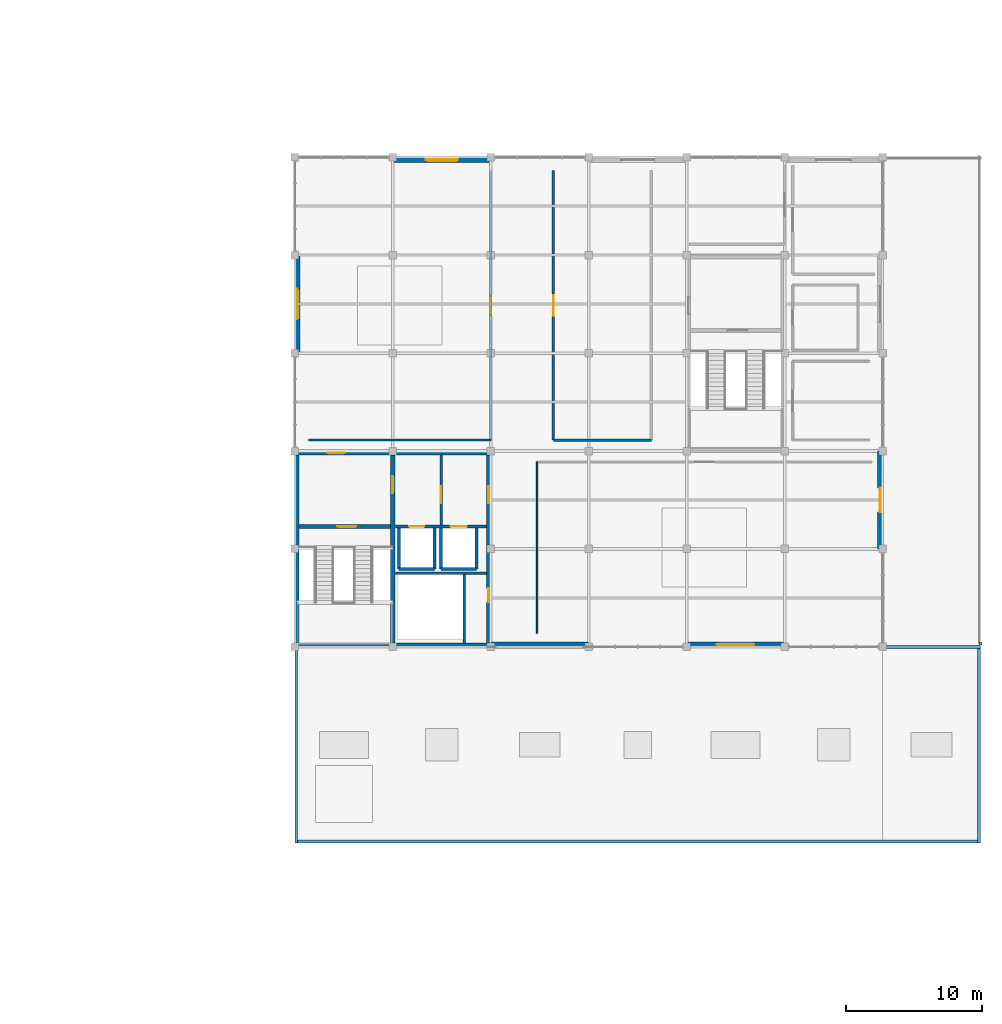
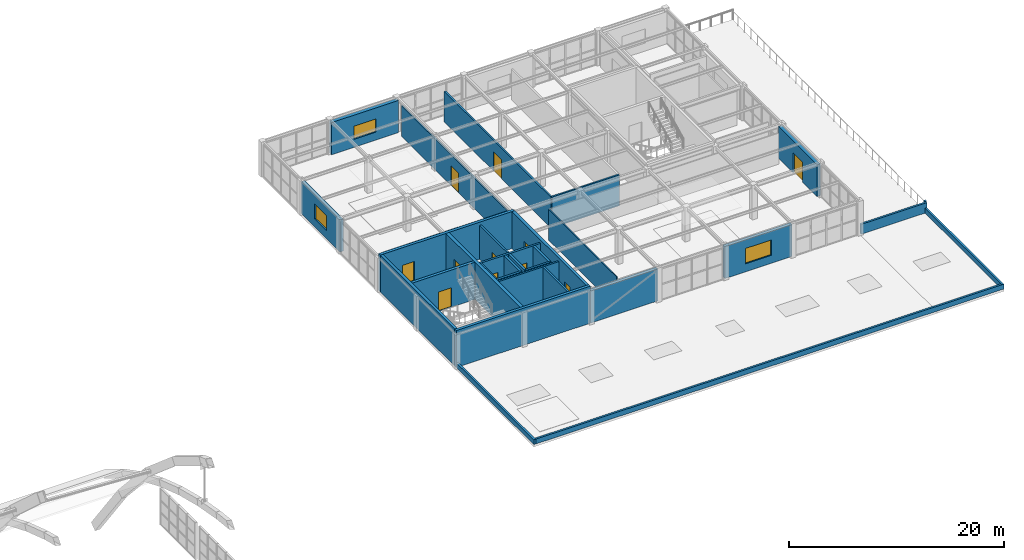
# One storey, part 59 of 64: 31 walls, 11 doors, 3 windows, 14 openings.
"""IFC4 building model written with IfcOpenShell, lengths in metres."""

from ifc_helpers import new_model, si_unit, direction, frame, frame_2d, origin, place, context, subcontext, project, spatial, rectangle, extrude, material, layer, layer_set, type_object, element, fill, save


model = new_model("IFC4")

# Units and contexts
model_context = context("Model", 3, precision=1e-05, world=origin(), true_north=direction((0.0, 1.0)))
body_context = subcontext(model_context, "Body", "Model", "MODEL_VIEW")
ifc_project = project(units=[si_unit("LENGTHUNIT", "METRE"), si_unit("AREAUNIT", "SQUARE_METRE"), si_unit("VOLUMEUNIT", "CUBIC_METRE"), si_unit("PLANEANGLEUNIT", "RADIAN"), si_unit("MASSUNIT", "GRAM", prefix="KILO")], contexts=[model_context])

# Site, building, storey
site_placement = place(None, origin())
site = spatial("IfcSite", under=ifc_project, at=site_placement, CompositionType="ELEMENT")
building_placement = place(site_placement, origin())
building = spatial("IfcBuilding", under=site, at=building_placement, Name="Leyfeld Transit Interchange", CompositionType="ELEMENT")
storey_placement = place(building_placement, frame((0.0, 0.0, 9.60009765625)))
storey = spatial("IfcBuildingStorey", under=building, at=storey_placement, Name="L02", CompositionType="ELEMENT", Elevation=9.60009765625)

# Wall, opening, window
ifc_material_1 = material(Name="Clinker brick masonry - Insulated", Category="masonry")
ifc_layer_1 = layer(ifc_material_1, 0.3798828125, Name="Clinker brick masonry - Insulated")
ifc_layer_set_1 = layer_set([ifc_layer_1], Name="Clinker brick masonry - Insulated")
wall_type_1 = type_object("IfcWallType", Name="WL-EXT-BRK-380", PredefinedType="SOLIDWALL", material=ifc_layer_set_1)
wall_1_placement = place(storey_placement, frame((144.0, 93.409912109375, 0.0), z_axis=(0.0, 0.0, 1.0), x_axis=(1.0, 0.0, 0.0)))
wall_1 = element("IfcWall", 1, at=wall_1_placement, inside=storey, type_object=wall_type_1, Name="External Facade Wall EW-L02-094", PredefinedType="SOLIDWALL", context=body_context, shape_type="SweptSolid", body=[
    extrude(rectangle(XDim=7.199951171875, YDim=0.3798828125, at=frame_2d((3.60009765625, 0.0))), origin(), (0.0, 0.0, 1.0), 3.64990234375),
])
opening_1_placement = place(wall_1_placement, frame((2.425048828125, 0.0, 0.89990234375)))
opening_1 = element("IfcOpeningElement", 2, at=opening_1_placement, cuts=wall_1, Name="Opening WU-12", PredefinedType="OPENING", context=body_context, shape_type="SweptSolid", body=[
    extrude(rectangle(XDim=2.35009765625, YDim=1.5, at=frame_2d((1.175048828125, 0.75))), frame((0.0, 0.199951171875, 0.0), z_axis=(0.0, -1.0, 0.0), x_axis=(1.0, 0.0, 0.0)), (0.0, 0.0, 1.0), 0.39990234375),
])
ifc_material_2 = material(Name="Triple low-E insulated glazing", Category="glass")
window_type_1 = type_object("IfcWindowType", Name="WIN-UNQ-12", PartitioningType="SINGLE_PANEL", PredefinedType="WINDOW", material=ifc_material_2)
window_1_placement = place(opening_1_placement, origin())
window_1 = element("IfcWindow", 3, at=window_1_placement, inside=storey, type_object=window_type_1, Name="Facade Window L02 064", OverallHeight=1.5, OverallWidth=2.35009765625, PartitioningType="SINGLE_PANEL", PredefinedType="WINDOW", context=body_context, shape_type="SweptSolid", body=[
    extrude(rectangle(XDim=2.35009765625, YDim=1.5, at=frame_2d((1.175048828125, 0.75))), frame((0.0, 0.030029296875, 0.0), z_axis=(0.0, -1.0, 0.0), x_axis=(1.0, 0.0, 0.0)), (0.0, 0.0, 1.0), 0.06005859375),
])
fill(opening_1, window_1)

ifc_material_3 = material(Name="Leitha limestone ashlar - Insulated", Category="masonry")
ifc_layer_2 = layer(ifc_material_3, 0.360107421875, Name="Leitha limestone ashlar - Insulated")
ifc_layer_set_2 = layer_set([ifc_layer_2], Name="Leitha limestone ashlar - Insulated")
wall_type_2 = type_object("IfcWallType", Name="WL-EXT-STN-360", PredefinedType="SOLIDWALL", material=ifc_layer_set_2)
wall_2_placement = place(storey_placement, frame((136.97998046875, 79.199951171875, 0.0), z_axis=(0.0, 0.0, 1.0), x_axis=(0.0, 1.0, 0.0)))
wall_2 = element("IfcWall", 4, at=wall_2_placement, inside=storey, type_object=wall_type_2, Name="External Facade Wall EW-L02-093", PredefinedType="SOLIDWALL", context=body_context, shape_type="SweptSolid", body=[
    extrude(rectangle(XDim=7.199951171875, YDim=0.360107421875, at=frame_2d((3.60009765625, 0.0))), origin(), (0.0, 0.0, 1.0), 3.619873046875),
])
opening_2_placement = place(wall_2_placement, frame((2.47509765625, 0.0, 0.89990234375)))
opening_2 = element("IfcOpeningElement", 5, at=opening_2_placement, cuts=wall_2, Name="Opening WU-11", PredefinedType="OPENING", context=body_context, shape_type="SweptSolid", body=[
    extrude(rectangle(XDim=2.25, YDim=1.699951171875, at=frame_2d((1.125, 0.85009765625))), frame((0.0, 0.18994140625, 0.0), z_axis=(0.0, -1.0, 0.0), x_axis=(1.0, 0.0, 0.0)), (0.0, 0.0, 1.0), 0.380126953125),
])
window_type_2 = type_object("IfcWindowType", Name="WIN-UNQ-11", PartitioningType="SINGLE_PANEL", PredefinedType="WINDOW", material=ifc_material_2)
window_2_placement = place(opening_2_placement, origin())
window_2 = element("IfcWindow", 6, at=window_2_placement, inside=storey, type_object=window_type_2, Name="Facade Window L02 063", OverallHeight=1.699951171875, OverallWidth=2.25, PartitioningType="SINGLE_PANEL", PredefinedType="WINDOW", context=body_context, shape_type="SweptSolid", body=[
    extrude(rectangle(XDim=2.25, YDim=1.699951171875, at=frame_2d((1.125, 0.85009765625))), frame((0.0, 0.030029296875, 0.0), z_axis=(0.0, -1.0, 0.0), x_axis=(1.0, 0.0, 0.0)), (0.0, 0.0, 1.0), 0.06005859375),
])
fill(opening_2, window_2)

# Wall, opening, door
wall_3_placement = place(storey_placement, frame((179.820068359375, 72.0, 0.0), z_axis=(0.0, 0.0, 1.0), x_axis=(0.0, -1.0, 0.0)))
wall_3 = element("IfcWall", 7, at=wall_3_placement, inside=storey, type_object=wall_type_2, Name="External Facade Wall EW-L02-098", PredefinedType="SOLIDWALL", context=body_context, shape_type="SweptSolid", body=[
    extrude(rectangle(XDim=7.199951171875, YDim=0.360107421875, at=frame_2d((3.60009765625, 0.0))), origin(), (0.0, 0.0, 1.0), 3.619873046875),
])
opening_3_placement = place(wall_3_placement, frame((2.699951171875, 0.0, 0.0)))
opening_3 = element("IfcOpeningElement", 8, at=opening_3_placement, cuts=wall_3, Name="Opening DE-06", PredefinedType="OPENING", context=body_context, shape_type="SweptSolid", body=[
    extrude(rectangle(XDim=1.800048828125, YDim=2.25, at=frame_2d((0.89990234375, 1.125))), frame((0.0, 0.18994140625, 0.0), z_axis=(0.0, -1.0, 0.0), x_axis=(1.0, 0.0, 0.0)), (0.0, 0.0, 1.0), 0.380126953125),
])
ifc_material_4 = material(Name="Anodised aluminium EN AW-6060 T66", Category="aluminium")
door_type_1 = type_object("IfcDoorType", Name="DR-EXT-TER-1800x2250", OperationType="NOTDEFINED", PredefinedType="DOOR", material=ifc_material_4)
door_1_placement = place(opening_3_placement, origin())
door_1 = element("IfcDoor", 9, at=door_1_placement, inside=storey, type_object=door_type_1, Name="DR-TER-L02-018", OperationType="SINGLE_SWING_LEFT", OverallHeight=2.25, OverallWidth=1.800048828125, PredefinedType="DOOR", context=body_context, shape_type="SweptSolid", body=[
    extrude(rectangle(XDim=1.800048828125, YDim=2.25, at=frame_2d((0.89990234375, 1.125))), frame((0.0, 0.02490234375, 0.0), z_axis=(0.0, -1.0, 0.0), x_axis=(1.0, 0.0, 0.0)), (0.0, 0.0, 1.0), 0.050048828125),
])
fill(opening_3, door_1)

# Wall, opening, window
wall_4_placement = place(storey_placement, frame((172.800048828125, 57.780029296875, 0.0), z_axis=(0.0, 0.0, 1.0), x_axis=(-1.0, 0.0, 0.0)))
wall_4 = element("IfcWall", 10, at=wall_4_placement, inside=storey, type_object=wall_type_2, Name="External Facade Wall EW-L02-099", PredefinedType="SOLIDWALL", context=body_context, shape_type="SweptSolid", body=[
    extrude(rectangle(XDim=7.199951171875, YDim=0.360107421875, at=frame_2d((3.60009765625, 0.0))), origin(), (0.0, 0.0, 1.0), 3.619873046875),
])
opening_4_placement = place(wall_4_placement, frame((2.22509765625, 0.0, 0.89990234375)))
opening_4 = element("IfcOpeningElement", 11, at=opening_4_placement, cuts=wall_4, Name="Opening WU-16", PredefinedType="OPENING", context=body_context, shape_type="SweptSolid", body=[
    extrude(rectangle(XDim=2.75, YDim=1.75, at=frame_2d((1.375, 0.875))), frame((0.0, 0.18994140625, 0.0), z_axis=(0.0, -1.0, 0.0), x_axis=(1.0, 0.0, 0.0)), (0.0, 0.0, 1.0), 0.380126953125),
])
window_type_3 = type_object("IfcWindowType", Name="WIN-UNQ-16", PartitioningType="SINGLE_PANEL", PredefinedType="WINDOW", material=ifc_material_2)
window_3_placement = place(opening_4_placement, origin())
window_3 = element("IfcWindow", 12, at=window_3_placement, inside=storey, type_object=window_type_3, Name="Facade Window L02 068", OverallHeight=1.75, OverallWidth=2.75, PartitioningType="SINGLE_PANEL", PredefinedType="WINDOW", context=body_context, shape_type="SweptSolid", body=[
    extrude(rectangle(XDim=2.75, YDim=1.75, at=frame_2d((1.375, 0.875))), frame((0.0, 0.030029296875, 0.0), z_axis=(0.0, -1.0, 0.0), x_axis=(1.0, 0.0, 0.0)), (0.0, 0.0, 1.0), 0.06005859375),
])
fill(opening_4, window_3)

# Walls
wall_5_placement = place(storey_placement, frame((158.39990234375, 57.780029296875, 0.0), z_axis=(0.0, 0.0, 1.0), x_axis=(-1.0, 0.0, 0.0)))
element("IfcWall", 13, at=wall_5_placement, inside=storey, type_object=wall_type_2, Name="External Facade Wall EW-L02-100", PredefinedType="SOLIDWALL", context=body_context, shape_type="SweptSolid", body=[
    extrude(rectangle(XDim=7.199951171875, YDim=0.360107421875, at=frame_2d((3.60009765625, 0.0))), origin(), (0.0, 0.0, 1.0), 3.619873046875),
])
ifc_material_5 = material(Name="Gypsum plasterboard acoustic stud", Category="gypsum")
ifc_layer_3 = layer(ifc_material_5, 0.159912109375, Name="Gypsum plasterboard acoustic stud")
ifc_layer_set_3 = layer_set([ifc_layer_3], Name="Gypsum plasterboard acoustic stud")
wall_type_3 = type_object("IfcWallType", Name="WL-INT-ACU-160", PredefinedType="PARTITIONING", material=ifc_layer_set_3)
wall_6_placement = place(storey_placement, frame((151.199951171875, 72.800048828125, 0.0), z_axis=(0.0, 0.0, 1.0), x_axis=(-1.0, 0.0, 0.0)))
element("IfcWall", 14, at=wall_6_placement, inside=storey, type_object=wall_type_3, Name="Interior Partition L02-MTG-01 S", PredefinedType="PARTITIONING", context=body_context, shape_type="SweptSolid", body=[
    extrude(rectangle(XDim=13.39990234375, YDim=0.159912109375, at=frame_2d((6.699951171875, 0.0))), origin(), (0.0, 0.0, 1.0), 3.52001953125),
])

# Wall, opening, door
wall_7_placement = place(storey_placement, frame((151.199951171875, 92.60009765625, 0.0), z_axis=(0.0, 0.0, 1.0), x_axis=(0.0, -1.0, 0.0)))
wall_7 = element("IfcWall", 15, at=wall_7_placement, inside=storey, type_object=wall_type_3, Name="Interior Partition L02-MTG-01 E", PredefinedType="PARTITIONING", context=body_context, shape_type="SweptSolid", body=[
    extrude(rectangle(XDim=19.800048828125, YDim=0.159912109375, at=frame_2d((9.89990234375, 0.0))), origin(), (0.0, 0.0, 1.0), 3.469970703125),
])
opening_5_placement = place(wall_7_placement, frame((9.18994140625, 0.0, 0.0)))
opening_5 = element("IfcOpeningElement", 16, at=opening_5_placement, cuts=wall_7, Name="Opening DU-12", PredefinedType="OPENING", context=body_context, shape_type="SweptSolid", body=[
    extrude(rectangle(XDim=1.419921875, YDim=2.239990234375, at=frame_2d((0.7099609375, 1.1201171875))), frame((0.0, 0.08984375, 0.0), z_axis=(0.0, -1.0, 0.0), x_axis=(1.0, 0.0, 0.0)), (0.0, 0.0, 1.0), 0.179931640625),
])
ifc_material_6 = material(Name="Austrian larch glulam GL28h", Category="wood")
door_type_2 = type_object("IfcDoorType", Name="DR-UNQ-12", OperationType="NOTDEFINED", PredefinedType="DOOR", material=ifc_material_6)
door_2_placement = place(opening_5_placement, origin())
door_2 = element("IfcDoor", 17, at=door_2_placement, inside=storey, type_object=door_type_2, Name="DR-L02-MTG-01", OperationType="SINGLE_SWING_RIGHT", OverallHeight=2.239990234375, OverallWidth=1.419921875, PredefinedType="DOOR", context=body_context, shape_type="SweptSolid", body=[
    extrude(rectangle(XDim=1.419921875, YDim=2.239990234375, at=frame_2d((0.7099609375, 1.1201171875))), frame((0.0, 0.02490234375, 0.0), z_axis=(0.0, -1.0, 0.0), x_axis=(1.0, 0.0, 0.0)), (0.0, 0.0, 1.0), 0.050048828125),
])
fill(opening_5, door_2)

# Wall
ifc_material_7 = material(Name="Calcium silicate masonry", Category="masonry")
ifc_layer_4 = layer(ifc_material_7, 0.175048828125, Name="Calcium silicate masonry")
ifc_layer_set_4 = layer_set([ifc_layer_4], Name="Calcium silicate masonry")
wall_type_4 = type_object("IfcWallType", Name="WL-INT-COR-175", PredefinedType="PARTITIONING", material=ifc_layer_set_4)
wall_8_placement = place(storey_placement, frame((163.0, 72.800048828125, 0.0), z_axis=(0.0, 0.0, 1.0), x_axis=(-1.0, 0.0, 0.0)))
element("IfcWall", 18, at=wall_8_placement, inside=storey, type_object=wall_type_4, Name="Interior Partition L02-ARC-01 S", PredefinedType="PARTITIONING", context=body_context, shape_type="SweptSolid", body=[
    extrude(rectangle(XDim=7.199951171875, YDim=0.175048828125, at=frame_2d((3.60009765625, 0.0))), origin(), (0.0, 0.0, 1.0), 3.52001953125),
])

# Wall, opening, door
wall_9_placement = place(storey_placement, frame((155.800048828125, 72.800048828125, 0.0), z_axis=(0.0, 0.0, 1.0), x_axis=(0.0, 1.0, 0.0)))
wall_9 = element("IfcWall", 19, at=wall_9_placement, inside=storey, type_object=wall_type_4, Name="Interior Partition L02-ARC-01 W", PredefinedType="PARTITIONING", context=body_context, shape_type="SweptSolid", body=[
    extrude(rectangle(XDim=19.800048828125, YDim=0.175048828125, at=frame_2d((9.89990234375, 0.0))), origin(), (0.0, 0.0, 1.0), 3.469970703125),
])
opening_6_placement = place(wall_9_placement, frame((9.159912109375, 0.0, 0.0)))
opening_6 = element("IfcOpeningElement", 20, at=opening_6_placement, cuts=wall_9, Name="Opening DU-13", PredefinedType="OPENING", context=body_context, shape_type="SweptSolid", body=[
    extrude(rectangle(XDim=1.47998046875, YDim=2.179931640625, at=frame_2d((0.739990234375, 1.08984375))), frame((0.0, 0.097412109375, 0.0), z_axis=(0.0, -1.0, 0.0), x_axis=(1.0, 0.0, 0.0)), (0.0, 0.0, 1.0), 0.195068359375),
])
door_type_3 = type_object("IfcDoorType", Name="DR-UNQ-13", OperationType="NOTDEFINED", PredefinedType="DOOR", material=ifc_material_6)
door_3_placement = place(opening_6_placement, origin())
door_3 = element("IfcDoor", 21, at=door_3_placement, inside=storey, type_object=door_type_3, Name="DR-L02-ARC-01", OperationType="SINGLE_SWING_LEFT", OverallHeight=2.179931640625, OverallWidth=1.47998046875, PredefinedType="DOOR", context=body_context, shape_type="SweptSolid", body=[
    extrude(rectangle(XDim=1.47998046875, YDim=2.179931640625, at=frame_2d((0.739990234375, 1.08984375))), frame((0.0, 0.02490234375, 0.0), z_axis=(0.0, -1.0, 0.0), x_axis=(1.0, 0.0, 0.0)), (0.0, 0.0, 1.0), 0.050048828125),
])
fill(opening_6, door_3)

ifc_material_8 = material(Name="Concrete C35/45", Category="concrete")
ifc_layer_5 = layer(ifc_material_8, 0.199951171875, Name="Concrete C35/45")
ifc_layer_set_5 = layer_set([ifc_layer_5], Name="Concrete C35/45")
wall_type_5 = type_object("IfcWallType", Name="WL-INT-FFL-200", PredefinedType="PARTITIONING", material=ifc_layer_set_5)
wall_10_placement = place(storey_placement, frame((147.550048828125, 66.56005859375, 0.0), z_axis=(0.0, 0.0, 1.0), x_axis=(0.0, 1.0, 0.0)))
wall_10 = element("IfcWall", 22, at=wall_10_placement, inside=storey, type_object=wall_type_5, Name="Core K4 Firefighting Lobby Compartment Wall L02", PredefinedType="PARTITIONING", context=body_context, shape_type="SweptSolid", body=[
    extrude(rectangle(XDim=5.139892578125, YDim=0.199951171875, at=frame_2d((2.56982421875, 0.0))), origin(), (0.0, 0.0, 1.0), 3.849853515625),
])
opening_7_placement = place(wall_10_placement, frame((1.60009765625, 0.0, 0.0)))
opening_7 = element("IfcOpeningElement", 23, at=opening_7_placement, cuts=wall_10, Name="Opening DI-02", PredefinedType="OPENING", context=body_context, shape_type="SweptSolid", body=[
    extrude(rectangle(XDim=1.25, YDim=2.199951171875, at=frame_2d((0.625, 1.10009765625))), frame((0.0, 0.10986328125, 0.0), z_axis=(0.0, -1.0, 0.0), x_axis=(1.0, 0.0, 0.0)), (0.0, 0.0, 1.0), 0.219970703125),
])
ifc_material_9 = material(Name="Galvanised steel S275JR", Category="steel")
door_type_4 = type_object("IfcDoorType", Name="DR-FFL-1250x2200", OperationType="NOTDEFINED", PredefinedType="DOOR", material=ifc_material_9)
door_4_placement = place(opening_7_placement, origin())
door_4 = element("IfcDoor", 24, at=door_4_placement, inside=storey, type_object=door_type_4, Name="DR-FFL-CON-K4-L02", OperationType="SINGLE_SWING_LEFT", OverallHeight=2.199951171875, OverallWidth=1.25, PredefinedType="DOOR", context=body_context, shape_type="SweptSolid", body=[
    extrude(rectangle(XDim=1.25, YDim=2.199951171875, at=frame_2d((0.625, 1.10009765625))), frame((0.0, 0.02490234375, 0.0), z_axis=(0.0, -1.0, 0.0), x_axis=(1.0, 0.0, 0.0)), (0.0, 0.0, 1.0), 0.050048828125),
])
fill(opening_7, door_4)

# Walls
ifc_layer_6 = layer(ifc_material_5, 0.114990234375, Name="Gypsum plasterboard acoustic stud")
ifc_layer_set_6 = layer_set([ifc_layer_6], Name="Gypsum plasterboard acoustic stud")
wall_type_6 = type_object("IfcWallType", Name="WL-INT-OFF-115", PredefinedType="PARTITIONING", material=ifc_layer_set_6)
wall_11_placement = place(storey_placement, frame((154.60009765625, 58.60009765625, 0.0), z_axis=(0.0, 0.0, 1.0), x_axis=(0.0, 1.0, 0.0)))
element("IfcWall", 25, at=wall_11_placement, inside=storey, type_object=wall_type_6, Name="Interior Partition L02-ADM-01 W", PredefinedType="PARTITIONING", context=body_context, shape_type="SweptSolid", body=[
    extrude(rectangle(XDim=12.599853515625, YDim=0.114990234375, at=frame_2d((6.2998046875, 0.0))), origin(), (0.0, 0.0, 1.0), 3.469970703125),
])
ifc_layer_7 = layer(ifc_material_7, 0.18994140625, Name="Calcium silicate masonry")
ifc_layer_set_7 = layer_set([ifc_layer_7], Name="Calcium silicate masonry")
wall_type_7 = type_object("IfcWallType", Name="WL-INT-PLT-190", PredefinedType="PARTITIONING", material=ifc_layer_set_7)
wall_12_placement = place(storey_placement, frame((144.179931640625, 63.02001953125, 0.0), z_axis=(0.0, 0.0, 1.0), x_axis=(1.0, 0.0, 0.0)))
element("IfcWall", 26, at=wall_12_placement, inside=storey, type_object=wall_type_7, Name="Core K4 Riser Compartment Wall L02", PredefinedType="PARTITIONING", context=body_context, shape_type="SweptSolid", body=[
    extrude(rectangle(XDim=6.719970703125, YDim=0.18994140625, at=frame_2d((3.35986328125, 0.0))), origin(), (0.0, 0.0, 1.0), 3.849853515625),
])
wall_13_placement = place(storey_placement, frame((149.25, 57.89990234375, 0.0), z_axis=(0.0, 0.0, 1.0), x_axis=(0.0, 1.0, 0.0)))
element("IfcWall", 27, at=wall_13_placement, inside=storey, type_object=wall_type_7, Name="Core K4 Riser Shaft East Wall L02", PredefinedType="PARTITIONING", context=body_context, shape_type="SweptSolid", body=[
    extrude(rectangle(XDim=5.030029296875, YDim=0.18994140625, at=frame_2d((2.51513671875, 0.0))), origin(), (0.0, 0.0, 1.0), 3.849853515625),
])

# Wall, openings, doors
ifc_layer_8 = layer(ifc_material_8, 0.219970703125, Name="Concrete C35/45")
ifc_layer_set_8 = layer_set([ifc_layer_8], Name="Concrete C35/45")
wall_type_8 = type_object("IfcWallType", Name="WL-INT-SHF-220", PredefinedType="PARTITIONING", material=ifc_layer_set_8)
wall_14_placement = place(storey_placement, frame((144.179931640625, 66.449951171875, 0.0), z_axis=(0.0, 0.0, 1.0), x_axis=(1.0, 0.0, 0.0)))
wall_14 = element("IfcWall", 28, at=wall_14_placement, inside=storey, type_object=wall_type_8, Name="Core K4 Lift Shaft Front Wall L02", PredefinedType="PARTITIONING", context=body_context, shape_type="SweptSolid", body=[
    extrude(rectangle(XDim=6.719970703125, YDim=0.219970703125, at=frame_2d((3.35986328125, 0.0))), origin(), (0.0, 0.0, 1.0), 3.849853515625),
])
opening_8_placement = place(wall_14_placement, frame((1.02001953125, 0.0, 0.0)))
opening_8 = element("IfcOpeningElement", 29, at=opening_8_placement, cuts=wall_14, Name="Opening LD-01", PredefinedType="OPENING", context=body_context, shape_type="SweptSolid", body=[
    extrude(rectangle(XDim=1.10009765625, YDim=2.14990234375, at=frame_2d((0.550048828125, 1.074951171875))), frame((0.0, 0.119873046875, 0.0), z_axis=(0.0, -1.0, 0.0), x_axis=(1.0, 0.0, 0.0)), (0.0, 0.0, 1.0), 0.239990234375),
])
opening_9_placement = place(wall_14_placement, frame((4.070068359375, 0.0, 0.0)))
opening_9 = element("IfcOpeningElement", 30, at=opening_9_placement, cuts=wall_14, Name="Opening LD-02", PredefinedType="OPENING", context=body_context, shape_type="SweptSolid", body=[
    extrude(rectangle(XDim=1.199951171875, YDim=2.14990234375, at=frame_2d((0.60009765625, 1.074951171875))), frame((0.0, 0.119873046875, 0.0), z_axis=(0.0, -1.0, 0.0), x_axis=(1.0, 0.0, 0.0)), (0.0, 0.0, 1.0), 0.239990234375),
])
ifc_material_10 = material(Name="Stainless steel EN 1.4404", Category="steel")
door_type_5 = type_object("IfcDoorType", Name="DR-LD-FFL-1100x2150", OperationType="NOTDEFINED", PredefinedType="DOOR", material=ifc_material_10)
door_5_placement = place(opening_8_placement, origin())
door_5 = element("IfcDoor", 31, at=door_5_placement, inside=storey, type_object=door_type_5, Name="LD-FFL-2-L02", OperationType="DOUBLE_DOOR_SLIDING", OverallHeight=2.14990234375, OverallWidth=1.10009765625, PredefinedType="DOOR", context=body_context, shape_type="SweptSolid", body=[
    extrude(rectangle(XDim=1.10009765625, YDim=2.14990234375, at=frame_2d((0.550048828125, 1.074951171875))), frame((0.0, 0.02490234375, 0.0), z_axis=(0.0, -1.0, 0.0), x_axis=(1.0, 0.0, 0.0)), (0.0, 0.0, 1.0), 0.050048828125),
])
fill(opening_8, door_5)
door_type_6 = type_object("IfcDoorType", Name="DR-LD-PAS-1200x2150", OperationType="NOTDEFINED", PredefinedType="DOOR", material=ifc_material_10)
door_6_placement = place(opening_9_placement, origin())
door_6 = element("IfcDoor", 32, at=door_6_placement, inside=storey, type_object=door_type_6, Name="LD-PL-4-L02", OperationType="DOUBLE_DOOR_SLIDING", OverallHeight=2.14990234375, OverallWidth=1.199951171875, PredefinedType="DOOR", context=body_context, shape_type="SweptSolid", body=[
    extrude(rectangle(XDim=1.199951171875, YDim=2.14990234375, at=frame_2d((0.60009765625, 1.074951171875))), frame((0.0, 0.02490234375, 0.0), z_axis=(0.0, -1.0, 0.0), x_axis=(1.0, 0.0, 0.0)), (0.0, 0.0, 1.0), 0.050048828125),
])
fill(opening_9, door_6)

# Walls
wall_15_placement = place(storey_placement, frame((144.43994140625, 63.340087890625, 0.0), z_axis=(0.0, 0.0, 1.0), x_axis=(1.0, 0.0, 0.0)))
element("IfcWall", 33, at=wall_15_placement, inside=storey, type_object=wall_type_8, Name="Core K4 Lift FFL-2 Shaft Back Wall L02", PredefinedType="PARTITIONING", context=body_context, shape_type="SweptSolid", body=[
    extrude(rectangle(XDim=2.6201171875, YDim=0.219970703125, at=frame_2d((1.31005859375, 0.0))), origin(), (0.0, 0.0, 1.0), 3.849853515625),
])
for number, where, z_axis, x_axis, name in (
    (34, (144.43994140625, 63.340087890625, 0.0), (0.0, 0.0, 1.0), (0.0, 1.0, 0.0), "Core K4 Lift FFL-2 Shaft Wall W L02"),
    (35, (147.06005859375, 63.340087890625, 0.0), (0.0, 0.0, 1.0), (0.0, 1.0, 0.0), "Core K4 Lift FFL-2 Shaft Wall E L02"),
):
    element("IfcWall", number, at=place(storey_placement, frame(where, z_axis=z_axis, x_axis=x_axis)), inside=storey, type_object=wall_type_8, Name=name, PredefinedType="PARTITIONING", context=body_context, shape_type="SweptSolid", body=[
        extrude(rectangle(XDim=3.0, YDim=0.219970703125, at=frame_2d((1.5, 0.0))), origin(), (0.0, 0.0, 1.0), 3.849853515625),
    ])
wall_16_placement = place(storey_placement, frame((147.5400390625, 63.340087890625, 0.0), z_axis=(0.0, 0.0, 1.0), x_axis=(1.0, 0.0, 0.0)))
element("IfcWall", 36, at=wall_16_placement, inside=storey, type_object=wall_type_8, Name="Core K4 Lift PL-4 Shaft Back Wall L02", PredefinedType="PARTITIONING", context=body_context, shape_type="SweptSolid", body=[
    extrude(rectangle(XDim=2.619873046875, YDim=0.219970703125, at=frame_2d((1.31005859375, 0.0))), origin(), (0.0, 0.0, 1.0), 3.849853515625),
])
for number, where, z_axis, x_axis, name in (
    (37, (147.5400390625, 63.340087890625, 0.0), (0.0, 0.0, 1.0), (0.0, 1.0, 0.0), "Core K4 Lift PL-4 Shaft Wall W L02"),
    (38, (150.159912109375, 63.340087890625, 0.0), (0.0, 0.0, 1.0), (0.0, 1.0, 0.0), "Core K4 Lift PL-4 Shaft Wall E L02"),
):
    element("IfcWall", number, at=place(storey_placement, frame(where, z_axis=z_axis, x_axis=x_axis)), inside=storey, type_object=wall_type_8, Name=name, PredefinedType="PARTITIONING", context=body_context, shape_type="SweptSolid", body=[
        extrude(rectangle(XDim=3.0, YDim=0.219970703125, at=frame_2d((1.5, 0.0))), origin(), (0.0, 0.0, 1.0), 3.849853515625),
    ])
ifc_layer_9 = layer(ifc_material_3, 0.2099609375, Name="Leitha limestone ashlar - Insulated")
ifc_layer_set_9 = layer_set([ifc_layer_9], Name="Leitha limestone ashlar - Insulated")
wall_type_9 = type_object("IfcWallType", Name="WL-PAR-210", PredefinedType="PARAPET", material=ifc_layer_set_9)
for number, where, z_axis, x_axis, name in (
    (39, (187.094970703125, 43.199951171875, 0.0), (0.0, 0.0, 1.0), (0.0, 1.0, 0.0), "Roof Parapet L02 003"),
    (40, (136.905029296875, 57.60009765625, 0.0), (0.0, 0.0, 1.0), (0.0, -1.0, 0.0), "Roof Parapet L02 004"),
):
    element("IfcWall", number, at=place(storey_placement, frame(where, z_axis=z_axis, x_axis=x_axis)), inside=storey, type_object=wall_type_9, Name=name, PredefinedType="PARAPET", context=body_context, shape_type="SweptSolid", body=[
        extrude(rectangle(XDim=14.400146484375, YDim=0.2099609375, at=frame_2d((7.2001953125, 0.0))), origin(), (0.0, 0.0, 1.0), 0.5498046875),
    ])
wall_17_placement = place(storey_placement, frame((136.800048828125, 43.304931640625, 0.0), z_axis=(0.0, 0.0, 1.0), x_axis=(1.0, 0.0, 0.0)))
element("IfcWall", 41, at=wall_17_placement, inside=storey, type_object=wall_type_9, Name="Roof Parapet L02 005", PredefinedType="PARAPET", context=body_context, shape_type="SweptSolid", body=[
    extrude(rectangle(XDim=50.39990234375, YDim=0.2099609375, at=frame_2d((25.199951171875, 0.0))), origin(), (0.0, 0.0, 1.0), 0.5498046875),
])
wall_18_placement = place(storey_placement, frame((187.199951171875, 57.739990234375, 0.0), z_axis=(0.0, 0.0, 1.0), x_axis=(0.0, 1.0, 0.0)))
element("IfcWall", 42, at=wall_18_placement, inside=storey, type_object=wall_type_9, Name="Terrace Parapet Return L02 023", PredefinedType="PARAPET", context=body_context, shape_type="SweptSolid", body=[
    extrude(rectangle(XDim=0.239990234375, YDim=0.2099609375, at=frame_2d((0.1201171875, 0.0))), origin(), (0.0, 0.0, 1.0), 1.119873046875),
])
wall_19_placement = place(storey_placement, frame((180.1201171875, 57.60009765625, 0.0), z_axis=(0.0, 0.0, 1.0), x_axis=(1.0, 0.0, 0.0)))
element("IfcWall", 43, at=wall_19_placement, inside=storey, type_object=wall_type_9, Name="Terrace Divider Parapet L02 024", PredefinedType="PARAPET", context=body_context, shape_type="SweptSolid", body=[
    extrude(rectangle(XDim=7.079833984375, YDim=0.2099609375, at=frame_2d((3.5400390625, 0.0))), origin(), (0.0, 0.0, 1.0), 1.119873046875),
])

# Wall, opening, door
ifc_layer_10 = layer(ifc_material_8, 0.300048828125, Name="Concrete C35/45")
ifc_layer_set_10 = layer_set([ifc_layer_10], Name="Concrete C35/45")
wall_type_10 = type_object("IfcWallType", Name="WL-SH-300", PredefinedType="SHEAR", material=ifc_layer_set_10)
wall_20_placement = place(storey_placement, frame((136.800048828125, 71.85009765625, 0.0), z_axis=(0.0, 0.0, 1.0), x_axis=(1.0, 0.0, 0.0)))
wall_20 = element("IfcWall", 44, at=wall_20_placement, inside=storey, type_object=wall_type_10, Name="Core K4 Shear Wall N L02", PredefinedType="SHEAR", context=body_context, shape_type="SweptSolid", body=[
    extrude(rectangle(XDim=14.39990234375, YDim=0.300048828125, at=frame_2d((7.199951171875, 0.0))), origin(), (0.0, 0.0, 1.0), 4.199951171875),
])
opening_10_placement = place(wall_20_placement, frame((2.39990234375, 0.0, 0.0)))
opening_10 = element("IfcOpeningElement", 45, at=opening_10_placement, cuts=wall_20, Name="Opening DI-02", PredefinedType="OPENING", context=body_context, shape_type="SweptSolid", body=[
    extrude(rectangle(XDim=1.25, YDim=2.199951171875, at=frame_2d((0.625, 1.10009765625))), frame((0.0, 0.159912109375, 0.0), z_axis=(0.0, -1.0, 0.0), x_axis=(1.0, 0.0, 0.0)), (0.0, 0.0, 1.0), 0.320068359375),
])
door_7_placement = place(opening_10_placement, origin())
door_7 = element("IfcDoor", 46, at=door_7_placement, inside=storey, type_object=door_type_4, Name="DR-CORE-OUT-K4-L02-N", OperationType="SINGLE_SWING_LEFT", OverallHeight=2.199951171875, OverallWidth=1.25, PredefinedType="DOOR", context=body_context, shape_type="SweptSolid", body=[
    extrude(rectangle(XDim=1.25, YDim=2.199951171875, at=frame_2d((0.625, 1.10009765625))), frame((0.0, 0.02490234375, 0.0), z_axis=(0.0, -1.0, 0.0), x_axis=(1.0, 0.0, 0.0)), (0.0, 0.0, 1.0), 0.050048828125),
])
fill(opening_10, door_7)

# Wall, openings, doors
wall_21_placement = place(storey_placement, frame((151.050048828125, 71.699951171875, 0.0), z_axis=(0.0, 0.0, 1.0), x_axis=(0.0, -1.0, 0.0)))
wall_21 = element("IfcWall", 47, at=wall_21_placement, inside=storey, type_object=wall_type_10, Name="Core K4 Shear Wall E L02", PredefinedType="SHEAR", context=body_context, shape_type="SweptSolid", body=[
    extrude(rectangle(XDim=13.800048828125, YDim=0.300048828125, at=frame_2d((6.89990234375, 0.0))), origin(), (0.0, 0.0, 1.0), 4.199951171875),
])
opening_11_placement = place(wall_21_placement, frame((9.800048828125, 0.0, 0.0)))
opening_11 = element("IfcOpeningElement", 48, at=opening_11_placement, cuts=wall_21, Name="Opening DI-05", PredefinedType="OPENING", context=body_context, shape_type="SweptSolid", body=[
    extrude(rectangle(XDim=1.0, YDim=2.14990234375, at=frame_2d((0.5, 1.074951171875))), frame((0.0, 0.159912109375, 0.0), z_axis=(0.0, -1.0, 0.0), x_axis=(1.0, 0.0, 0.0)), (0.0, 0.0, 1.0), 0.320068359375),
])
opening_12_placement = place(wall_21_placement, frame((2.300048828125, 0.0, 0.0)))
opening_12 = element("IfcOpeningElement", 49, at=opening_12_placement, cuts=wall_21, Name="Opening DI-02", PredefinedType="OPENING", context=body_context, shape_type="SweptSolid", body=[
    extrude(rectangle(XDim=1.25, YDim=2.199951171875, at=frame_2d((0.625, 1.10009765625))), frame((0.0, 0.159912109375, 0.0), z_axis=(0.0, -1.0, 0.0), x_axis=(1.0, 0.0, 0.0)), (0.0, 0.0, 1.0), 0.320068359375),
])
door_8_placement = place(opening_12_placement, origin())
door_8 = element("IfcDoor", 50, at=door_8_placement, inside=storey, type_object=door_type_4, Name="DR-CORE-OUT-K4-L02-E", OperationType="SINGLE_SWING_RIGHT", OverallHeight=2.199951171875, OverallWidth=1.25, PredefinedType="DOOR", context=body_context, shape_type="SweptSolid", body=[
    extrude(rectangle(XDim=1.25, YDim=2.199951171875, at=frame_2d((0.625, 1.10009765625))), frame((0.0, 0.02490234375, 0.0), z_axis=(0.0, -1.0, 0.0), x_axis=(1.0, 0.0, 0.0)), (0.0, 0.0, 1.0), 0.050048828125),
])
fill(opening_12, door_8)
door_type_7 = type_object("IfcDoorType", Name="DR-OFF-1000x2150", OperationType="NOTDEFINED", PredefinedType="DOOR", material=ifc_material_6)
door_9_placement = place(opening_11_placement, origin())
door_9 = element("IfcDoor", 51, at=door_9_placement, inside=storey, type_object=door_type_7, Name="DR-RSR-K4-L02", OperationType="SINGLE_SWING_RIGHT", OverallHeight=2.14990234375, OverallWidth=1.0, PredefinedType="DOOR", context=body_context, shape_type="SweptSolid", body=[
    extrude(rectangle(XDim=1.0, YDim=2.14990234375, at=frame_2d((0.5, 1.074951171875))), frame((0.0, 0.02490234375, 0.0), z_axis=(0.0, -1.0, 0.0), x_axis=(1.0, 0.0, 0.0)), (0.0, 0.0, 1.0), 0.050048828125),
])
fill(opening_11, door_9)

# Walls
wall_22_placement = place(storey_placement, frame((151.199951171875, 57.75, 0.0), z_axis=(0.0, 0.0, 1.0), x_axis=(-1.0, 0.0, 0.0)))
element("IfcWall", 52, at=wall_22_placement, inside=storey, type_object=wall_type_10, Name="Core K4 Shear Wall S L02", PredefinedType="SHEAR", context=body_context, shape_type="SweptSolid", body=[
    extrude(rectangle(XDim=14.39990234375, YDim=0.300048828125, at=frame_2d((7.199951171875, 0.0))), origin(), (0.0, 0.0, 1.0), 4.199951171875),
])
wall_23_placement = place(storey_placement, frame((136.949951171875, 57.89990234375, 0.0), z_axis=(0.0, 0.0, 1.0), x_axis=(0.0, 1.0, 0.0)))
element("IfcWall", 53, at=wall_23_placement, inside=storey, type_object=wall_type_10, Name="Core K4 Shear Wall W L02", PredefinedType="SHEAR", context=body_context, shape_type="SweptSolid", body=[
    extrude(rectangle(XDim=13.800048828125, YDim=0.300048828125, at=frame_2d((6.89990234375, 0.0))), origin(), (0.0, 0.0, 1.0), 4.199951171875),
])

# Wall, opening, door
wall_24_placement = place(storey_placement, frame((137.10009765625, 66.449951171875, 0.0), z_axis=(0.0, 0.0, 1.0), x_axis=(1.0, 0.0, 0.0)))
wall_24 = element("IfcWall", 54, at=wall_24_placement, inside=storey, type_object=wall_type_10, Name="Core K4 Shear Wall STRN L02", PredefinedType="SHEAR", context=body_context, shape_type="SweptSolid", body=[
    extrude(rectangle(XDim=6.724853515625, YDim=0.300048828125, at=frame_2d((3.3623046875, 0.0))), origin(), (0.0, 0.0, 1.0), 4.199951171875),
])
opening_13_placement = place(wall_24_placement, frame((2.824951171875, 0.0, 0.0)))
opening_13 = element("IfcOpeningElement", 55, at=opening_13_placement, cuts=wall_24, Name="Opening DI-01", PredefinedType="OPENING", context=body_context, shape_type="SweptSolid", body=[
    extrude(rectangle(XDim=1.39990234375, YDim=2.199951171875, at=frame_2d((0.699951171875, 1.10009765625))), frame((0.0, 0.159912109375, 0.0), z_axis=(0.0, -1.0, 0.0), x_axis=(1.0, 0.0, 0.0)), (0.0, 0.0, 1.0), 0.320068359375),
])
door_type_8 = type_object("IfcDoorType", Name="DR-STR-1400x2200", OperationType="NOTDEFINED", PredefinedType="DOOR", material=ifc_material_9)
door_10_placement = place(opening_13_placement, origin())
door_10 = element("IfcDoor", 56, at=door_10_placement, inside=storey, type_object=door_type_8, Name="DR-STR-INT-K4-L02", OperationType="SINGLE_SWING_RIGHT", OverallHeight=2.199951171875, OverallWidth=1.39990234375, PredefinedType="DOOR", context=body_context, shape_type="SweptSolid", body=[
    extrude(rectangle(XDim=1.39990234375, YDim=2.199951171875, at=frame_2d((0.699951171875, 1.10009765625))), frame((0.0, 0.02490234375, 0.0), z_axis=(0.0, -1.0, 0.0), x_axis=(1.0, 0.0, 0.0)), (0.0, 0.0, 1.0), 0.050048828125),
])
fill(opening_13, door_10)

ifc_layer_11 = layer(ifc_material_8, 0.35009765625, Name="Concrete C35/45")
ifc_layer_set_11 = layer_set([ifc_layer_11], Name="Concrete C35/45")
wall_type_11 = type_object("IfcWallType", Name="WL-SH-350", PredefinedType="SHEAR", material=ifc_layer_set_11)
wall_25_placement = place(storey_placement, frame((144.0, 71.699951171875, 0.0), z_axis=(0.0, 0.0, 1.0), x_axis=(0.0, -1.0, 0.0)))
wall_25 = element("IfcWall", 57, at=wall_25_placement, inside=storey, type_object=wall_type_11, Name="Core K4 Shear Wall MID L02", PredefinedType="SHEAR", context=body_context, shape_type="SweptSolid", body=[
    extrude(rectangle(XDim=13.800048828125, YDim=0.35009765625, at=frame_2d((6.89990234375, 0.0))), origin(), (0.0, 0.0, 1.0), 4.199951171875),
])
opening_14_placement = place(wall_25_placement, frame((1.550048828125, 0.0, 0.0)))
opening_14 = element("IfcOpeningElement", 58, at=opening_14_placement, cuts=wall_25, Name="Opening DI-02", PredefinedType="OPENING", context=body_context, shape_type="SweptSolid", body=[
    extrude(rectangle(XDim=1.25, YDim=2.199951171875, at=frame_2d((0.625, 1.10009765625))), frame((0.0, 0.18505859375, 0.0), z_axis=(0.0, -1.0, 0.0), x_axis=(1.0, 0.0, 0.0)), (0.0, 0.0, 1.0), 0.3701171875),
])
door_11_placement = place(opening_14_placement, origin())
door_11 = element("IfcDoor", 59, at=door_11_placement, inside=storey, type_object=door_type_4, Name="DR-CORE-MID-K4-L02", OperationType="SINGLE_SWING_LEFT", OverallHeight=2.199951171875, OverallWidth=1.25, PredefinedType="DOOR", context=body_context, shape_type="SweptSolid", body=[
    extrude(rectangle(XDim=1.25, YDim=2.199951171875, at=frame_2d((0.625, 1.10009765625))), frame((0.0, 0.02490234375, 0.0), z_axis=(0.0, -1.0, 0.0), x_axis=(1.0, 0.0, 0.0)), (0.0, 0.0, 1.0), 0.050048828125),
])
fill(opening_14, door_11)

save(model, "model.ifc")
